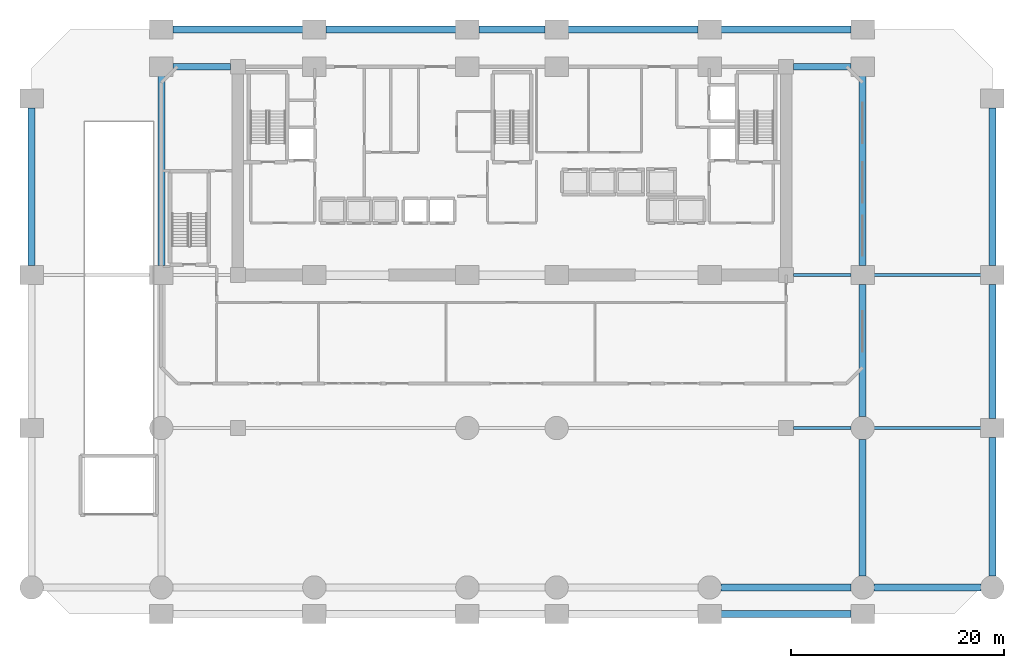
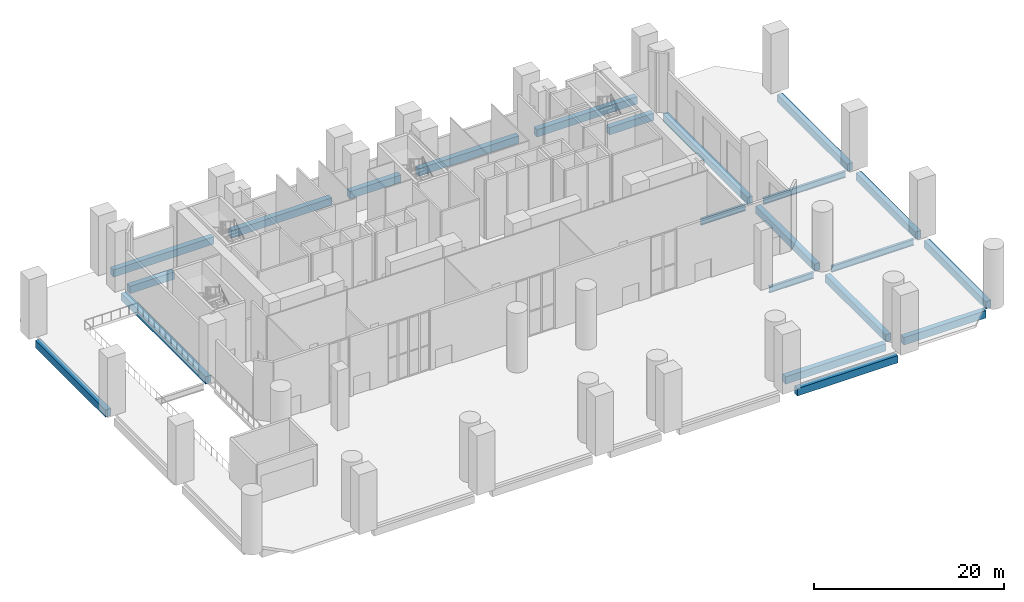
# One storey, part 7 of 17: 22 beams.
"""IFC4 building model written with IfcOpenShell, lengths in metres."""

from ifc_helpers import new_model, si_unit, direction, frame, origin, origin_2d, place, context, subcontext, project, spatial, rectangle, i_section, extrude, material, material_profile, profile_set, type_object, element, save


model = new_model("IFC4")

# Units and contexts
model_context = context("Model", 3, precision=1e-05, world=origin(), true_north=direction((0.0, 1.0)))
body_context = subcontext(model_context, "Body", "Model", "MODEL_VIEW")
ifc_project = project(units=[si_unit("LENGTHUNIT", "METRE"), si_unit("AREAUNIT", "SQUARE_METRE"), si_unit("VOLUMEUNIT", "CUBIC_METRE"), si_unit("PLANEANGLEUNIT", "RADIAN"), si_unit("MASSUNIT", "GRAM", prefix="KILO")], contexts=[model_context])

# Site, building, storey
site_placement = place(None, origin())
site = spatial("IfcSite", under=ifc_project, at=site_placement, CompositionType="ELEMENT")
building_placement = place(site_placement, origin())
building = spatial("IfcBuilding", under=site, at=building_placement, Name="Kaelvorn Grand Hotel", CompositionType="ELEMENT")
storey_placement = place(building_placement, origin())
storey = spatial("IfcBuildingStorey", under=building, at=storey_placement, Name="L00", CompositionType="ELEMENT", Elevation=0.0)

# Beams
ifc_material_1 = material(Name="Steel S355", Category="steel")
ifc_material_profile_1 = material_profile(ifc_material_1, i_section(OverallWidth=0.300048828125, OverallDepth=0.800048828125, WebThickness=0.017578125, FlangeThickness=0.032958984375, FilletRadius=0.030029296875, at=origin_2d()), Name="HEB 800")
ifc_profile_set_1 = profile_set([ifc_material_profile_1], Name="Steel S355")
beam_type_1 = type_object("IfcBeamType", Name="BM-G-HEB800-S355", PredefinedType="BEAM", material=ifc_profile_set_1)
beam_1_placement = place(storey_placement, frame((68.485107421875, 15.0, -0.75), z_axis=(1.0, 0.0, 0.0), x_axis=(0.0, 1.0, 0.0)))
element("IfcBeam", 1, at=beam_1_placement, inside=storey, type_object=beam_type_1, Name="L00 Primary Spine Steel Girder G-15 06", PredefinedType="BEAM", context=body_context, shape_type="SweptSolid", body=[
    extrude(i_section(OverallWidth=0.300048828125, OverallDepth=0.800048828125, WebThickness=0.017578125, FlangeThickness=0.032958984375, FilletRadius=0.030029296875, at=origin_2d()), origin(), (0.0, 0.0, 1.0), 5.429931640625),
])
beam_2_placement = place(storey_placement, frame((76.0849609375, 15.0, -0.75), z_axis=(1.0, 0.0, 0.0), x_axis=(0.0, 1.0, 0.0)))
element("IfcBeam", 2, at=beam_2_placement, inside=storey, type_object=beam_type_1, Name="L00 Primary Spine Steel Girder G-15 07", PredefinedType="BEAM", context=body_context, shape_type="SweptSolid", body=[
    extrude(i_section(OverallWidth=0.300048828125, OverallDepth=0.800048828125, WebThickness=0.017578125, FlangeThickness=0.032958984375, FilletRadius=0.030029296875, at=origin_2d()), origin(), (0.0, 0.0, 1.0), 10.030029296875),
])
beam_3_placement = place(storey_placement, frame((68.485107421875, 29.39990234375, -0.75), z_axis=(1.0, 0.0, 0.0), x_axis=(0.0, 1.0, 0.0)))
element("IfcBeam", 3, at=beam_3_placement, inside=storey, type_object=beam_type_1, Name="L00 East Core Wing Steel Girder G-29E 01", PredefinedType="BEAM", context=body_context, shape_type="SweptSolid", body=[
    extrude(i_section(OverallWidth=0.300048828125, OverallDepth=0.800048828125, WebThickness=0.017578125, FlangeThickness=0.032958984375, FilletRadius=0.030029296875, at=origin_2d()), origin(), (0.0, 0.0, 1.0), 5.429931640625),
])
beam_4_placement = place(storey_placement, frame((76.0849609375, 29.39990234375, -0.75), z_axis=(1.0, 0.0, 0.0), x_axis=(0.0, 1.0, 0.0)))
element("IfcBeam", 4, at=beam_4_placement, inside=storey, type_object=beam_type_1, Name="L00 East Core Wing Steel Girder G-29E 02", PredefinedType="BEAM", context=body_context, shape_type="SweptSolid", body=[
    extrude(i_section(OverallWidth=0.300048828125, OverallDepth=0.800048828125, WebThickness=0.017578125, FlangeThickness=0.032958984375, FilletRadius=0.030029296875, at=origin_2d()), origin(), (0.0, 0.0, 1.0), 10.030029296875),
])
ifc_material_2 = material(Name="Concrete C60/75", Category="concrete")
ifc_material_profile_2 = material_profile(ifc_material_2, rectangle(XDim=0.64990234375, YDim=0.949951171875, at=origin_2d()), Name="RC SPANDREL 650x950")
ifc_profile_set_2 = profile_set([ifc_material_profile_2], Name="Concrete C60/75")
beam_type_2 = type_object("IfcBeamType", Name="BM-SP-650x950-C60", PredefinedType="SPANDREL", material=ifc_profile_set_2)
beam_5_placement = place(storey_placement, frame((61.68505859375, 0.0, -0.824951171875), z_axis=(1.0, 0.0, 0.0), x_axis=(0.0, 1.0, 0.0)))
element("IfcBeam", 5, at=beam_5_placement, inside=storey, type_object=beam_type_2, Name="L00 South Perimeter Spandrel 06", PredefinedType="SPANDREL", context=body_context, shape_type="SweptSolid", body=[
    extrude(rectangle(XDim=0.64990234375, YDim=0.949951171875, at=origin_2d()), origin(), (0.0, 0.0, 1.0), 12.22998046875),
])
beam_6_placement = place(storey_placement, frame((76.0849609375, 0.0, -0.824951171875), z_axis=(1.0, 0.0, 0.0), x_axis=(0.0, 1.0, 0.0)))
element("IfcBeam", 6, at=beam_6_placement, inside=storey, type_object=beam_type_2, Name="L00 South Perimeter Spandrel 07", PredefinedType="SPANDREL", context=body_context, shape_type="SweptSolid", body=[
    extrude(rectangle(XDim=0.64990234375, YDim=0.949951171875, at=origin_2d()), origin(), (0.0, 0.0, 1.0), 10.030029296875),
])
beam_7_placement = place(storey_placement, frame((61.68505859375, -2.5, -0.824951171875), z_axis=(1.0, 0.0, 0.0), x_axis=(0.0, 1.0, 0.0)))
element("IfcBeam", 7, at=beam_7_placement, inside=storey, type_object=beam_type_2, Name="L00 South Plinth Spandrel 05", PredefinedType="SPANDREL", context=body_context, shape_type="SweptSolid", body=[
    extrude(rectangle(XDim=0.64990234375, YDim=0.949951171875, at=origin_2d()), origin(), (0.0, 0.0, 1.0), 12.22998046875),
])
for number, where, z_axis, x_axis, name in (
    (8, (10.0849609375, 49.0, -0.824951171875), (1.0, 0.0, 0.0), (0.0, 1.0, 0.0), "L00 North-West Spandrel 01"),
    (9, (68.485107421875, 49.0, -0.824951171875), (1.0, 0.0, 0.0), (0.0, 1.0, 0.0), "L00 North-East Spandrel 01"),
):
    element("IfcBeam", number, at=place(storey_placement, frame(where, z_axis=z_axis, x_axis=x_axis)), inside=storey, type_object=beam_type_2, Name=name, PredefinedType="SPANDREL", context=body_context, shape_type="SweptSolid", body=[
        extrude(rectangle(XDim=0.64990234375, YDim=0.949951171875, at=origin_2d()), origin(), (0.0, 0.0, 1.0), 5.429931640625),
    ])
for number, where, z_axis, x_axis, name in (
    (10, (10.0849609375, 52.5, -0.824951171875), (1.0, 0.0, 0.0), (0.0, 1.0, 0.0), "L00 North Plinth Spandrel 01"),
    (11, (24.485107421875, 52.5, -0.824951171875), (1.0, 0.0, 0.0), (0.0, 1.0, 0.0), "L00 North Plinth Spandrel 02"),
):
    element("IfcBeam", number, at=place(storey_placement, frame(where, z_axis=z_axis, x_axis=x_axis)), inside=storey, type_object=beam_type_2, Name=name, PredefinedType="SPANDREL", context=body_context, shape_type="SweptSolid", body=[
        extrude(rectangle(XDim=0.64990234375, YDim=0.949951171875, at=origin_2d()), origin(), (0.0, 0.0, 1.0), 12.22998046875),
    ])
beam_8_placement = place(storey_placement, frame((38.885009765625, 52.5, -0.824951171875), z_axis=(1.0, 0.0, 0.0), x_axis=(0.0, 1.0, 0.0)))
element("IfcBeam", 12, at=beam_8_placement, inside=storey, type_object=beam_type_2, Name="L00 North Plinth Spandrel 03", PredefinedType="SPANDREL", context=body_context, shape_type="SweptSolid", body=[
    extrude(rectangle(XDim=0.64990234375, YDim=0.949951171875, at=origin_2d()), origin(), (0.0, 0.0, 1.0), 6.22998046875),
])
for number, where, z_axis, x_axis, name in (
    (13, (47.284912109375, 52.5, -0.824951171875), (1.0, 0.0, 0.0), (0.0, 1.0, 0.0), "L00 North Plinth Spandrel 04"),
    (14, (61.68505859375, 52.5, -0.824951171875), (1.0, 0.0, 0.0), (0.0, 1.0, 0.0), "L00 North Plinth Spandrel 05"),
):
    element("IfcBeam", number, at=place(storey_placement, frame(where, z_axis=z_axis, x_axis=x_axis)), inside=storey, type_object=beam_type_2, Name=name, PredefinedType="SPANDREL", context=body_context, shape_type="SweptSolid", body=[
        extrude(rectangle(XDim=0.64990234375, YDim=0.949951171875, at=origin_2d()), origin(), (0.0, 0.0, 1.0), 12.22998046875),
    ])
beam_9_placement = place(storey_placement, frame((-3.199951171875, 30.284912109375, -0.824951171875), z_axis=(0.0, 1.0, 0.0), x_axis=(-1.0, 0.0, 0.0)))
element("IfcBeam", 15, at=beam_9_placement, inside=storey, type_object=beam_type_2, Name="L00 W Perimeter Spandrel 03", PredefinedType="SPANDREL", context=body_context, shape_type="SweptSolid", body=[
    extrude(rectangle(XDim=0.64990234375, YDim=0.949951171875, at=origin_2d()), origin(), (0.0, 0.0, 1.0), 14.830078125),
])
beam_10_placement = place(storey_placement, frame((87.199951171875, 1.0849609375, -0.824951171875), z_axis=(0.0, 1.0, 0.0), x_axis=(-1.0, 0.0, 0.0)))
element("IfcBeam", 16, at=beam_10_placement, inside=storey, type_object=beam_type_2, Name="L00 E Perimeter Spandrel 01", PredefinedType="SPANDREL", context=body_context, shape_type="SweptSolid", body=[
    extrude(rectangle(XDim=0.64990234375, YDim=0.949951171875, at=origin_2d()), origin(), (0.0, 0.0, 1.0), 13.030029296875),
])
beam_11_placement = place(storey_placement, frame((87.199951171875, 15.885009765625, -0.824951171875), z_axis=(0.0, 1.0, 0.0), x_axis=(-1.0, 0.0, 0.0)))
element("IfcBeam", 17, at=beam_11_placement, inside=storey, type_object=beam_type_2, Name="L00 E Perimeter Spandrel 02", PredefinedType="SPANDREL", context=body_context, shape_type="SweptSolid", body=[
    extrude(rectangle(XDim=0.64990234375, YDim=0.949951171875, at=origin_2d()), origin(), (0.0, 0.0, 1.0), 12.6298828125),
])
beam_12_placement = place(storey_placement, frame((87.199951171875, 30.284912109375, -0.824951171875), z_axis=(0.0, 1.0, 0.0), x_axis=(-1.0, 0.0, 0.0)))
element("IfcBeam", 18, at=beam_12_placement, inside=storey, type_object=beam_type_2, Name="L00 E Perimeter Spandrel 03", PredefinedType="SPANDREL", context=body_context, shape_type="SweptSolid", body=[
    extrude(rectangle(XDim=0.64990234375, YDim=0.949951171875, at=origin_2d()), origin(), (0.0, 0.0, 1.0), 14.830078125),
])
beam_13_placement = place(storey_placement, frame((9.0, 30.284912109375, -0.824951171875), z_axis=(0.0, 1.0, 0.0), x_axis=(-1.0, 0.0, 0.0)))
element("IfcBeam", 19, at=beam_13_placement, inside=storey, type_object=beam_type_2, Name="L00 WI Spine Girder 03", PredefinedType="SPANDREL", context=body_context, shape_type="SweptSolid", body=[
    extrude(rectangle(XDim=0.64990234375, YDim=0.949951171875, at=origin_2d()), origin(), (0.0, 0.0, 1.0), 17.830078125),
])
beam_14_placement = place(storey_placement, frame((75.0, 1.0849609375, -0.824951171875), z_axis=(0.0, 1.0, 0.0), x_axis=(-1.0, 0.0, 0.0)))
element("IfcBeam", 20, at=beam_14_placement, inside=storey, type_object=beam_type_2, Name="L00 EI Spine Girder 01", PredefinedType="SPANDREL", context=body_context, shape_type="SweptSolid", body=[
    extrude(rectangle(XDim=0.64990234375, YDim=0.949951171875, at=origin_2d()), origin(), (0.0, 0.0, 1.0), 12.830078125),
])
beam_15_placement = place(storey_placement, frame((75.0, 16.0849609375, -0.824951171875), z_axis=(0.0, 1.0, 0.0), x_axis=(-1.0, 0.0, 0.0)))
element("IfcBeam", 21, at=beam_15_placement, inside=storey, type_object=beam_type_2, Name="L00 EI Spine Girder 02", PredefinedType="SPANDREL", context=body_context, shape_type="SweptSolid", body=[
    extrude(rectangle(XDim=0.64990234375, YDim=0.949951171875, at=origin_2d()), origin(), (0.0, 0.0, 1.0), 12.429931640625),
])
beam_16_placement = place(storey_placement, frame((75.0, 30.284912109375, -0.824951171875), z_axis=(0.0, 1.0, 0.0), x_axis=(-1.0, 0.0, 0.0)))
element("IfcBeam", 22, at=beam_16_placement, inside=storey, type_object=beam_type_2, Name="L00 EI Spine Girder 03", PredefinedType="SPANDREL", context=body_context, shape_type="SweptSolid", body=[
    extrude(rectangle(XDim=0.64990234375, YDim=0.949951171875, at=origin_2d()), origin(), (0.0, 0.0, 1.0), 17.830078125),
])

save(model, "model.ifc")
